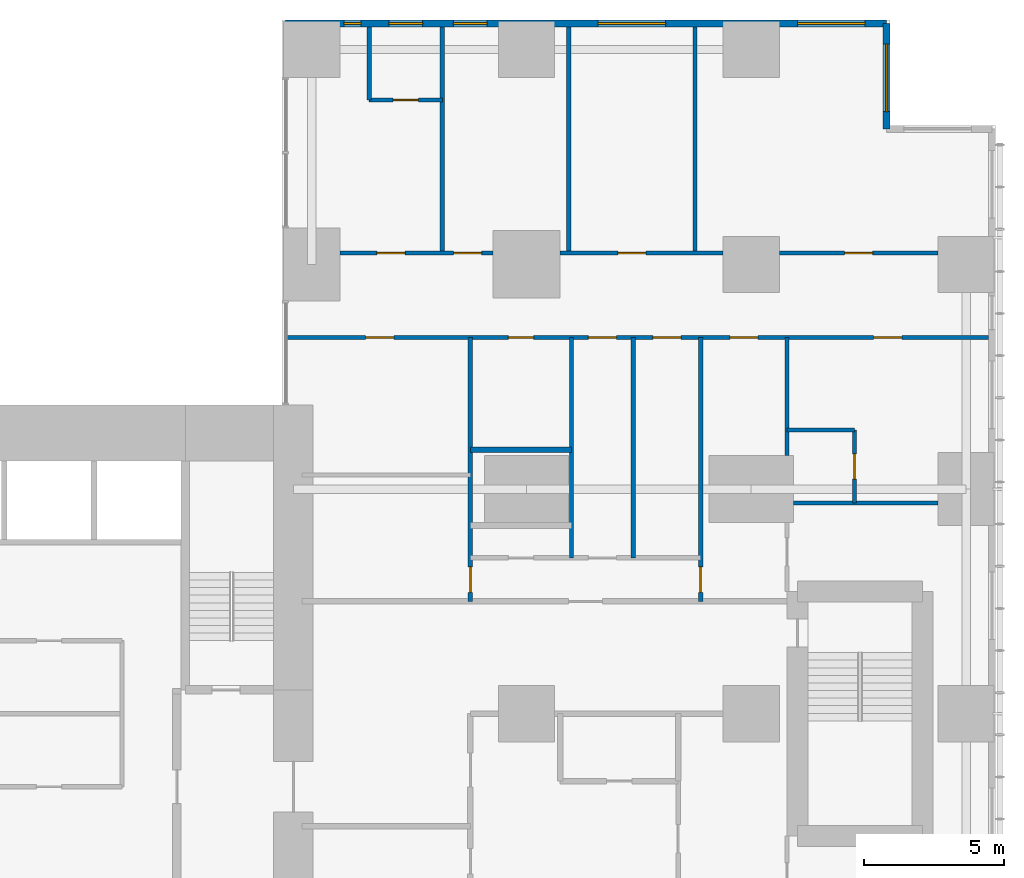
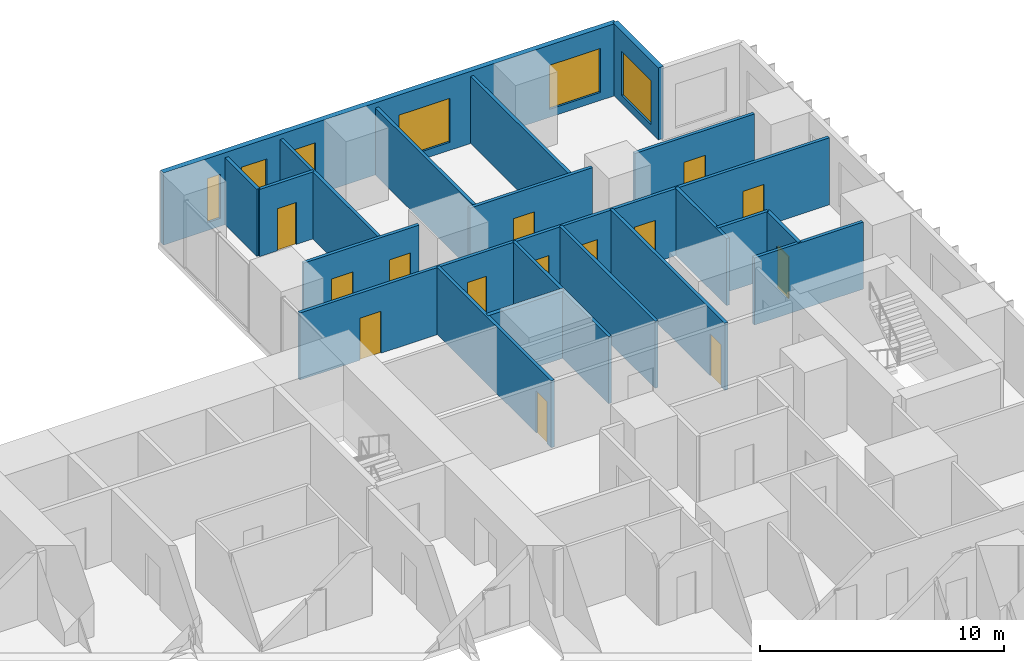
# One storey, part 18 of 21: 20 walls, 14 doors, 6 windows, 20 openings.
"""IFC4 building model written with IfcOpenShell, lengths in metres."""

from ifc_helpers import new_model, si_unit, direction, frame, frame_2d, origin, place, context, subcontext, project, spatial, rectangle, extrude, material, layer, layer_set, type_object, element, fill, save


model = new_model("IFC4")

# Units and contexts
model_context = context("Model", 3, precision=1e-05, world=origin(), true_north=direction((0.0, 1.0)))
body_context = subcontext(model_context, "Body", "Model", "MODEL_VIEW")
ifc_project = project(units=[si_unit("LENGTHUNIT", "METRE"), si_unit("AREAUNIT", "SQUARE_METRE"), si_unit("VOLUMEUNIT", "CUBIC_METRE"), si_unit("PLANEANGLEUNIT", "RADIAN"), si_unit("MASSUNIT", "GRAM", prefix="KILO")], contexts=[model_context])

# Site, building, storey
site_placement = place(None, origin())
site = spatial("IfcSite", under=ifc_project, at=site_placement, CompositionType="ELEMENT")
building_placement = place(site_placement, origin())
building = spatial("IfcBuilding", under=site, at=building_placement, Name="Cleftline Residences", CompositionType="ELEMENT")
storey_placement = place(building_placement, frame((0.0, 0.0, 128.60009765625)))
storey = spatial("IfcBuildingStorey", under=building, at=storey_placement, Name="L33", CompositionType="ELEMENT", Elevation=128.60009765625)

# Wall, opening, window
ifc_material_1 = material(Name="Rendered reinforced concrete blockwork", Category="masonry")
ifc_layer_1 = layer(ifc_material_1, 0.25)
ifc_layer_set_1 = layer_set([ifc_layer_1], Name="EXTERNAL WALL 250")
wall_type_1 = type_object("IfcWallType", Name="EXTERNAL WALL 250", PredefinedType="SOLIDWALL", material=ifc_layer_set_1)
wall_1_placement = place(storey_placement, frame((62.824951171875, 44.824951171875, 0.0), z_axis=(0.0, 0.0, 1.0), x_axis=(0.0, 1.0, 0.0)))
wall_1 = element("IfcWall", 1, at=wall_1_placement, inside=storey, type_object=wall_type_1, Name="External wall", PredefinedType="SOLIDWALL", context=body_context, shape_type="SweptSolid", body=[
    extrude(rectangle(XDim=3.75, YDim=0.25, at=frame_2d((1.875, 0.0))), origin(), (0.0, 0.0, 1.0), 3.599853515625),
])
opening_1_placement = place(wall_1_placement, frame((0.612548828125, 0.0, 0.39990234375)))
opening_1 = element("IfcOpeningElement", 2, at=opening_1_placement, cuts=wall_1, Name="Opening W12", PredefinedType="OPENING", context=body_context, shape_type="SweptSolid", body=[
    extrude(rectangle(XDim=2.39990234375, YDim=2.199951171875, at=frame_2d((1.199951171875, 1.10009765625))), frame((0.0, 0.135009765625, 0.0), z_axis=(0.0, -1.0, 0.0), x_axis=(1.0, 0.0, 0.0)), (0.0, 0.0, 1.0), 0.27001953125),
])
ifc_material_2 = material(Name="Aluminium frame, clear double glazing", Category="aluminium")
window_type_1 = type_object("IfcWindowType", Name="WINDOW 2400X2200", PartitioningType="DOUBLE_PANEL_VERTICAL", PredefinedType="WINDOW", material=ifc_material_2)
window_1_placement = place(opening_1_placement, origin())
window_1 = element("IfcWindow", 3, at=window_1_placement, inside=storey, type_object=window_type_1, Name="Window", OverallHeight=2.199951171875, OverallWidth=2.39990234375, PartitioningType="SINGLE_PANEL", PredefinedType="WINDOW", context=body_context, shape_type="SweptSolid", body=[
    extrude(rectangle(XDim=2.39990234375, YDim=2.199951171875, at=frame_2d((1.199951171875, 1.10009765625))), frame((0.0, 0.030029296875, 0.0), z_axis=(0.0, -1.0, 0.0), x_axis=(1.0, 0.0, 0.0)), (0.0, 0.0, 1.0), 0.06005859375),
])
fill(opening_1, window_1)

# Wall, openings, windows
wall_2_placement = place(storey_placement, frame((62.824951171875, 48.574951171875, 0.0), z_axis=(0.0, 0.0, 1.0), x_axis=(-1.0, 0.0, 0.0)))
wall_2 = element("IfcWall", 4, at=wall_2_placement, inside=storey, type_object=wall_type_1, Name="External wall", PredefinedType="SOLIDWALL", context=body_context, shape_type="SweptSolid", body=[
    extrude(rectangle(XDim=21.39990234375, YDim=0.25, at=frame_2d((10.699951171875, 0.0))), origin(), (0.0, 0.0, 1.0), 3.599853515625),
])
opening_2_placement = place(wall_2_placement, frame((0.77490234375, 0.0, 0.39990234375)))
opening_2 = element("IfcOpeningElement", 5, at=opening_2_placement, cuts=wall_2, Name="Opening W12", PredefinedType="OPENING", context=body_context, shape_type="SweptSolid", body=[
    extrude(rectangle(XDim=2.39990234375, YDim=2.199951171875, at=frame_2d((1.199951171875, 1.10009765625))), frame((0.0, 0.135009765625, 0.0), z_axis=(0.0, -1.0, 0.0), x_axis=(1.0, 0.0, 0.0)), (0.0, 0.0, 1.0), 0.27001953125),
])
opening_3_placement = place(wall_2_placement, frame((7.875, 0.0, 0.39990234375)))
opening_3 = element("IfcOpeningElement", 6, at=opening_3_placement, cuts=wall_2, Name="Opening W12", PredefinedType="OPENING", context=body_context, shape_type="SweptSolid", body=[
    extrude(rectangle(XDim=2.39990234375, YDim=2.199951171875, at=frame_2d((1.199951171875, 1.10009765625))), frame((0.0, 0.135009765625, 0.0), z_axis=(0.0, -1.0, 0.0), x_axis=(1.0, 0.0, 0.0)), (0.0, 0.0, 1.0), 0.27001953125),
])
opening_4_placement = place(wall_2_placement, frame((14.22509765625, 0.0, 0.39990234375)))
opening_4 = element("IfcOpeningElement", 7, at=opening_4_placement, cuts=wall_2, Name="Opening W11", PredefinedType="OPENING", context=body_context, shape_type="SweptSolid", body=[
    extrude(rectangle(XDim=1.199951171875, YDim=2.199951171875, at=frame_2d((0.60009765625, 1.10009765625))), frame((0.0, 0.135009765625, 0.0), z_axis=(0.0, -1.0, 0.0), x_axis=(1.0, 0.0, 0.0)), (0.0, 0.0, 1.0), 0.27001953125),
])
opening_5_placement = place(wall_2_placement, frame((16.52490234375, 0.0, 0.39990234375)))
opening_5 = element("IfcOpeningElement", 8, at=opening_5_placement, cuts=wall_2, Name="Opening W11", PredefinedType="OPENING", context=body_context, shape_type="SweptSolid", body=[
    extrude(rectangle(XDim=1.199951171875, YDim=2.199951171875, at=frame_2d((0.60009765625, 1.10009765625))), frame((0.0, 0.135009765625, 0.0), z_axis=(0.0, -1.0, 0.0), x_axis=(1.0, 0.0, 0.0)), (0.0, 0.0, 1.0), 0.27001953125),
])
opening_6_placement = place(wall_2_placement, frame((18.72509765625, 0.0, 0.39990234375)))
opening_6 = element("IfcOpeningElement", 9, at=opening_6_placement, cuts=wall_2, Name="Opening W10", PredefinedType="OPENING", context=body_context, shape_type="SweptSolid", body=[
    extrude(rectangle(XDim=0.60009765625, YDim=2.199951171875, at=frame_2d((0.300048828125, 1.10009765625))), frame((0.0, 0.135009765625, 0.0), z_axis=(0.0, -1.0, 0.0), x_axis=(1.0, 0.0, 0.0)), (0.0, 0.0, 1.0), 0.27001953125),
])
ifc_material_3 = material(Name="Aluminium frame, clear double glazing", Category="aluminium")
window_type_2 = type_object("IfcWindowType", Name="WINDOW 1200X2200", PartitioningType="DOUBLE_PANEL_VERTICAL", PredefinedType="WINDOW", material=ifc_material_3)
window_2_placement = place(opening_4_placement, origin())
window_2 = element("IfcWindow", 10, at=window_2_placement, inside=storey, type_object=window_type_2, Name="Window", OverallHeight=2.199951171875, OverallWidth=1.199951171875, PartitioningType="SINGLE_PANEL", PredefinedType="WINDOW", context=body_context, shape_type="SweptSolid", body=[
    extrude(rectangle(XDim=1.199951171875, YDim=2.199951171875, at=frame_2d((0.60009765625, 1.10009765625))), frame((0.0, 0.030029296875, 0.0), z_axis=(0.0, -1.0, 0.0), x_axis=(1.0, 0.0, 0.0)), (0.0, 0.0, 1.0), 0.06005859375),
])
fill(opening_4, window_2)
window_3_placement = place(opening_5_placement, origin())
window_3 = element("IfcWindow", 11, at=window_3_placement, inside=storey, type_object=window_type_2, Name="Window", OverallHeight=2.199951171875, OverallWidth=1.199951171875, PartitioningType="SINGLE_PANEL", PredefinedType="WINDOW", context=body_context, shape_type="SweptSolid", body=[
    extrude(rectangle(XDim=1.199951171875, YDim=2.199951171875, at=frame_2d((0.60009765625, 1.10009765625))), frame((0.0, 0.030029296875, 0.0), z_axis=(0.0, -1.0, 0.0), x_axis=(1.0, 0.0, 0.0)), (0.0, 0.0, 1.0), 0.06005859375),
])
fill(opening_5, window_3)
window_4_placement = place(opening_2_placement, origin())
window_4 = element("IfcWindow", 12, at=window_4_placement, inside=storey, type_object=window_type_1, Name="Window", OverallHeight=2.199951171875, OverallWidth=2.39990234375, PartitioningType="SINGLE_PANEL", PredefinedType="WINDOW", context=body_context, shape_type="SweptSolid", body=[
    extrude(rectangle(XDim=2.39990234375, YDim=2.199951171875, at=frame_2d((1.199951171875, 1.10009765625))), frame((0.0, 0.030029296875, 0.0), z_axis=(0.0, -1.0, 0.0), x_axis=(1.0, 0.0, 0.0)), (0.0, 0.0, 1.0), 0.06005859375),
])
fill(opening_2, window_4)
window_5_placement = place(opening_3_placement, origin())
window_5 = element("IfcWindow", 13, at=window_5_placement, inside=storey, type_object=window_type_1, Name="Window", OverallHeight=2.199951171875, OverallWidth=2.39990234375, PartitioningType="SINGLE_PANEL", PredefinedType="WINDOW", context=body_context, shape_type="SweptSolid", body=[
    extrude(rectangle(XDim=2.39990234375, YDim=2.199951171875, at=frame_2d((1.199951171875, 1.10009765625))), frame((0.0, 0.030029296875, 0.0), z_axis=(0.0, -1.0, 0.0), x_axis=(1.0, 0.0, 0.0)), (0.0, 0.0, 1.0), 0.06005859375),
])
fill(opening_3, window_5)
ifc_material_4 = material(Name="Aluminium frame, clear double glazing", Category="aluminium")
window_type_3 = type_object("IfcWindowType", Name="WINDOW 600X2200", PartitioningType="DOUBLE_PANEL_VERTICAL", PredefinedType="WINDOW", material=ifc_material_4)
window_6_placement = place(opening_6_placement, origin())
window_6 = element("IfcWindow", 14, at=window_6_placement, inside=storey, type_object=window_type_3, Name="Window", OverallHeight=2.199951171875, OverallWidth=0.60009765625, PartitioningType="SINGLE_PANEL", PredefinedType="WINDOW", context=body_context, shape_type="SweptSolid", body=[
    extrude(rectangle(XDim=0.60009765625, YDim=2.199951171875, at=frame_2d((0.300048828125, 1.10009765625))), frame((0.0, 0.030029296875, 0.0), z_axis=(0.0, -1.0, 0.0), x_axis=(1.0, 0.0, 0.0)), (0.0, 0.0, 1.0), 0.06005859375),
])
fill(opening_6, window_6)

# Walls
ifc_material_5 = material(Name="Concrete blockwork, fire rated", Category="masonry")
ifc_layer_2 = layer(ifc_material_5, 0.199951171875)
ifc_layer_set_2 = layer_set([ifc_layer_2], Name="FIRE WALL 200")
wall_type_2 = type_object("IfcWallType", Name="FIRE WALL 200", PredefinedType="PARTITIONING", material=ifc_layer_set_2)
wall_3_placement = place(storey_placement, frame((48.0, 33.39990234375, 0.0), z_axis=(0.0, 0.0, 1.0), x_axis=(1.0, 0.0, 0.0)))
element("IfcWall", 15, at=wall_3_placement, inside=storey, type_object=wall_type_2, Name="Fire separating wall", PredefinedType="PARTITIONING", context=body_context, shape_type="SweptSolid", body=[
    extrude(rectangle(XDim=3.60009765625, YDim=0.199951171875, at=frame_2d((1.800048828125, 0.0))), origin(), (0.0, 0.0, 1.0), 3.349853515625),
])
ifc_material_6 = material(Name="Gypsum board on steel studs", Category="steel")
ifc_layer_3 = layer(ifc_material_6, 0.14990234375)
ifc_layer_set_3 = layer_set([ifc_layer_3], Name="PARTITION 150")
wall_type_3 = type_object("IfcWallType", Name="PARTITION 150", PredefinedType="PARTITIONING", material=ifc_layer_set_3)
wall_4_placement = place(storey_placement, frame((59.5, 31.5, 0.0), z_axis=(0.0, 0.0, 1.0), x_axis=(1.0, 0.0, 0.0)))
element("IfcWall", 16, at=wall_4_placement, inside=storey, type_object=wall_type_3, Name="Partition", PredefinedType="PARTITIONING", context=body_context, shape_type="SweptSolid", body=[
    extrude(rectangle(XDim=5.14990234375, YDim=0.14990234375, at=frame_2d((2.574951171875, 0.0))), origin(), (0.0, 0.0, 1.0), 3.349853515625),
])
wall_5_placement = place(storey_placement, frame((59.27490234375, 34.10009765625, 0.0), z_axis=(0.0, 0.0, 1.0), x_axis=(1.0, 0.0, 0.0)))
element("IfcWall", 17, at=wall_5_placement, inside=storey, type_object=wall_type_3, Name="Partition", PredefinedType="PARTITIONING", context=body_context, shape_type="SweptSolid", body=[
    extrude(rectangle(XDim=2.400146484375, YDim=0.14990234375, at=frame_2d((1.2001953125, 0.0))), origin(), (0.0, 0.0, 1.0), 3.349853515625),
])

# Wall, openings, doors
wall_6_placement = place(storey_placement, frame((41.43896484375, 37.39990234375, 0.0), z_axis=(0.0, 0.0, 1.0), x_axis=(1.0, 0.0, 0.0)))
wall_6 = element("IfcWall", 18, at=wall_6_placement, inside=storey, type_object=wall_type_3, Name="Partition", PredefinedType="PARTITIONING", context=body_context, shape_type="SweptSolid", body=[
    extrude(rectangle(XDim=25.010986328125, YDim=0.14990234375, at=frame_2d((12.50537109375, 0.0))), origin(), (0.0, 0.0, 1.0), 3.349853515625),
])
opening_7_placement = place(wall_6_placement, frame((10.760986328125, 0.0, 0.0)))
opening_7 = element("IfcOpeningElement", 19, at=opening_7_placement, cuts=wall_6, Name="Opening D2", PredefinedType="OPENING", context=body_context, shape_type="SweptSolid", body=[
    extrude(rectangle(XDim=1.0, YDim=2.10009765625, at=frame_2d((0.5, 1.050048828125))), frame((0.0, 0.0849609375, 0.0), z_axis=(0.0, -1.0, 0.0), x_axis=(1.0, 0.0, 0.0)), (0.0, 0.0, 1.0), 0.169921875),
])
opening_8_placement = place(wall_6_placement, frame((20.923583984375, 0.0, 0.0)))
opening_8 = element("IfcOpeningElement", 20, at=opening_8_placement, cuts=wall_6, Name="Opening D2", PredefinedType="OPENING", context=body_context, shape_type="SweptSolid", body=[
    extrude(rectangle(XDim=1.0, YDim=2.10009765625, at=frame_2d((0.5, 1.050048828125))), frame((0.0, 0.0849609375, 0.0), z_axis=(0.0, -1.0, 0.0), x_axis=(1.0, 0.0, 0.0)), (0.0, 0.0, 1.0), 0.169921875),
])
opening_9_placement = place(wall_6_placement, frame((15.798583984375, 0.0, 0.0)))
opening_9 = element("IfcOpeningElement", 21, at=opening_9_placement, cuts=wall_6, Name="Opening D2", PredefinedType="OPENING", context=body_context, shape_type="SweptSolid", body=[
    extrude(rectangle(XDim=1.0, YDim=2.10009765625, at=frame_2d((0.5, 1.050048828125))), frame((0.0, 0.0849609375, 0.0), z_axis=(0.0, -1.0, 0.0), x_axis=(1.0, 0.0, 0.0)), (0.0, 0.0, 1.0), 0.169921875),
])
opening_10_placement = place(wall_6_placement, frame((13.06103515625, 0.0, 0.0)))
opening_10 = element("IfcOpeningElement", 22, at=opening_10_placement, cuts=wall_6, Name="Opening D2", PredefinedType="OPENING", context=body_context, shape_type="SweptSolid", body=[
    extrude(rectangle(XDim=1.0, YDim=2.10009765625, at=frame_2d((0.5, 1.050048828125))), frame((0.0, 0.0849609375, 0.0), z_axis=(0.0, -1.0, 0.0), x_axis=(1.0, 0.0, 0.0)), (0.0, 0.0, 1.0), 0.169921875),
])
opening_11_placement = place(wall_6_placement, frame((7.910888671875, 0.0, 0.0)))
opening_11 = element("IfcOpeningElement", 23, at=opening_11_placement, cuts=wall_6, Name="Opening D1", PredefinedType="OPENING", context=body_context, shape_type="SweptSolid", body=[
    extrude(rectangle(XDim=0.89990234375, YDim=2.10009765625, at=frame_2d((0.449951171875, 1.050048828125))), frame((0.0, 0.0849609375, 0.0), z_axis=(0.0, -1.0, 0.0), x_axis=(1.0, 0.0, 0.0)), (0.0, 0.0, 1.0), 0.169921875),
])
opening_12_placement = place(wall_6_placement, frame((2.8359375, 0.0, 0.0)))
opening_12 = element("IfcOpeningElement", 24, at=opening_12_placement, cuts=wall_6, Name="Opening D2", PredefinedType="OPENING", context=body_context, shape_type="SweptSolid", body=[
    extrude(rectangle(XDim=1.0, YDim=2.10009765625, at=frame_2d((0.5, 1.050048828125))), frame((0.0, 0.0849609375, 0.0), z_axis=(0.0, -1.0, 0.0), x_axis=(1.0, 0.0, 0.0)), (0.0, 0.0, 1.0), 0.169921875),
])
ifc_material_7 = material(Name="Timber veneer on solid core", Category="wood")
door_type_1 = type_object("IfcDoorType", Name="DOOR 1000X2100", OperationType="SINGLE_SWING_LEFT", PredefinedType="DOOR", material=ifc_material_7)
door_1_placement = place(opening_7_placement, origin())
door_1 = element("IfcDoor", 25, at=door_1_placement, inside=storey, type_object=door_type_1, Name="Door to residence hall", OperationType="SINGLE_SWING_RIGHT", OverallHeight=2.10009765625, OverallWidth=1.0, PredefinedType="DOOR", context=body_context, shape_type="SweptSolid", body=[
    extrude(rectangle(XDim=1.0, YDim=2.10009765625, at=frame_2d((0.5, 1.050048828125))), frame((0.0, 0.02490234375, 0.0), z_axis=(0.0, -1.0, 0.0), x_axis=(1.0, 0.0, 0.0)), (0.0, 0.0, 1.0), 0.050048828125),
])
fill(opening_7, door_1)
door_2_placement = place(opening_8_placement, origin())
door_2 = element("IfcDoor", 26, at=door_2_placement, inside=storey, type_object=door_type_1, Name="Door to master bedroom", OperationType="SINGLE_SWING_LEFT", OverallHeight=2.10009765625, OverallWidth=1.0, PredefinedType="DOOR", context=body_context, shape_type="SweptSolid", body=[
    extrude(rectangle(XDim=1.0, YDim=2.10009765625, at=frame_2d((0.5, 1.050048828125))), frame((0.0, 0.02490234375, 0.0), z_axis=(0.0, -1.0, 0.0), x_axis=(1.0, 0.0, 0.0)), (0.0, 0.0, 1.0), 0.050048828125),
])
fill(opening_8, door_2)
door_3_placement = place(opening_9_placement, origin())
door_3 = element("IfcDoor", 27, at=door_3_placement, inside=storey, type_object=door_type_1, Name="Door to wet kitchen", OperationType="SINGLE_SWING_LEFT", OverallHeight=2.10009765625, OverallWidth=1.0, PredefinedType="DOOR", context=body_context, shape_type="SweptSolid", body=[
    extrude(rectangle(XDim=1.0, YDim=2.10009765625, at=frame_2d((0.5, 1.050048828125))), frame((0.0, 0.02490234375, 0.0), z_axis=(0.0, -1.0, 0.0), x_axis=(1.0, 0.0, 0.0)), (0.0, 0.0, 1.0), 0.050048828125),
])
fill(opening_9, door_3)
door_4_placement = place(opening_10_placement, origin())
door_4 = element("IfcDoor", 28, at=door_4_placement, inside=storey, type_object=door_type_1, Name="Door to media room", OperationType="SINGLE_SWING_LEFT", OverallHeight=2.10009765625, OverallWidth=1.0, PredefinedType="DOOR", context=body_context, shape_type="SweptSolid", body=[
    extrude(rectangle(XDim=1.0, YDim=2.10009765625, at=frame_2d((0.5, 1.050048828125))), frame((0.0, 0.02490234375, 0.0), z_axis=(0.0, -1.0, 0.0), x_axis=(1.0, 0.0, 0.0)), (0.0, 0.0, 1.0), 0.050048828125),
])
fill(opening_10, door_4)
door_5_placement = place(opening_12_placement, origin())
door_5 = element("IfcDoor", 29, at=door_5_placement, inside=storey, type_object=door_type_1, Name="Door to study", OperationType="SINGLE_SWING_RIGHT", OverallHeight=2.10009765625, OverallWidth=1.0, PredefinedType="DOOR", context=body_context, shape_type="SweptSolid", body=[
    extrude(rectangle(XDim=1.0, YDim=2.10009765625, at=frame_2d((0.5, 1.050048828125))), frame((0.0, 0.02490234375, 0.0), z_axis=(0.0, -1.0, 0.0), x_axis=(1.0, 0.0, 0.0)), (0.0, 0.0, 1.0), 0.050048828125),
])
fill(opening_12, door_5)
ifc_material_8 = material(Name="Timber veneer on solid core", Category="wood")
door_type_2 = type_object("IfcDoorType", Name="DOOR 900X2100", OperationType="SINGLE_SWING_LEFT", PredefinedType="DOOR", material=ifc_material_8)
door_6_placement = place(opening_11_placement, origin())
door_6 = element("IfcDoor", 30, at=door_6_placement, inside=storey, type_object=door_type_2, Name="Door to bedroom 2 bathroom", OperationType="SINGLE_SWING_RIGHT", OverallHeight=2.10009765625, OverallWidth=0.89990234375, PredefinedType="DOOR", context=body_context, shape_type="SweptSolid", body=[
    extrude(rectangle(XDim=0.89990234375, YDim=2.10009765625, at=frame_2d((0.449951171875, 1.050048828125))), frame((0.0, 0.02490234375, 0.0), z_axis=(0.0, -1.0, 0.0), x_axis=(1.0, 0.0, 0.0)), (0.0, 0.0, 1.0), 0.050048828125),
])
fill(opening_11, door_6)

wall_7_placement = place(storey_placement, frame((43.35009765625, 40.39990234375, 0.0), z_axis=(0.0, 0.0, 1.0), x_axis=(1.0, 0.0, 0.0)))
wall_7 = element("IfcWall", 31, at=wall_7_placement, inside=storey, type_object=wall_type_3, Name="Partition", PredefinedType="PARTITIONING", context=body_context, shape_type="SweptSolid", body=[
    extrude(rectangle(XDim=5.449951171875, YDim=0.14990234375, at=frame_2d((2.72509765625, 0.0))), origin(), (0.0, 0.0, 1.0), 3.349853515625),
])
opening_13_placement = place(wall_7_placement, frame((4.050048828125, 0.0, 0.0)))
opening_13 = element("IfcOpeningElement", 32, at=opening_13_placement, cuts=wall_7, Name="Opening D2", PredefinedType="OPENING", context=body_context, shape_type="SweptSolid", body=[
    extrude(rectangle(XDim=1.0, YDim=2.10009765625, at=frame_2d((0.5, 1.050048828125))), frame((0.0, 0.0849609375, 0.0), z_axis=(0.0, -1.0, 0.0), x_axis=(1.0, 0.0, 0.0)), (0.0, 0.0, 1.0), 0.169921875),
])
opening_14_placement = place(wall_7_placement, frame((1.324951171875, 0.0, 0.0)))
opening_14 = element("IfcOpeningElement", 33, at=opening_14_placement, cuts=wall_7, Name="Opening D2", PredefinedType="OPENING", context=body_context, shape_type="SweptSolid", body=[
    extrude(rectangle(XDim=1.0, YDim=2.10009765625, at=frame_2d((0.5, 1.050048828125))), frame((0.0, 0.0849609375, 0.0), z_axis=(0.0, -1.0, 0.0), x_axis=(1.0, 0.0, 0.0)), (0.0, 0.0, 1.0), 0.169921875),
])
door_7_placement = place(opening_13_placement, origin())
door_7 = element("IfcDoor", 34, at=door_7_placement, inside=storey, type_object=door_type_1, Name="Door to show kitchen", OperationType="SINGLE_SWING_LEFT", OverallHeight=2.10009765625, OverallWidth=1.0, PredefinedType="DOOR", context=body_context, shape_type="SweptSolid", body=[
    extrude(rectangle(XDim=1.0, YDim=2.10009765625, at=frame_2d((0.5, 1.050048828125))), frame((0.0, 0.02490234375, 0.0), z_axis=(0.0, -1.0, 0.0), x_axis=(1.0, 0.0, 0.0)), (0.0, 0.0, 1.0), 0.050048828125),
])
fill(opening_13, door_7)
door_8_placement = place(opening_14_placement, origin())
door_8 = element("IfcDoor", 35, at=door_8_placement, inside=storey, type_object=door_type_1, Name="Door to bedroom 3", OperationType="SINGLE_SWING_RIGHT", OverallHeight=2.10009765625, OverallWidth=1.0, PredefinedType="DOOR", context=body_context, shape_type="SweptSolid", body=[
    extrude(rectangle(XDim=1.0, YDim=2.10009765625, at=frame_2d((0.5, 1.050048828125))), frame((0.0, 0.02490234375, 0.0), z_axis=(0.0, -1.0, 0.0), x_axis=(1.0, 0.0, 0.0)), (0.0, 0.0, 1.0), 0.050048828125),
])
fill(opening_14, door_8)

# Wall, opening, door
wall_8_placement = place(storey_placement, frame((51.199951171875, 40.39990234375, 0.0), z_axis=(0.0, 0.0, 1.0), x_axis=(1.0, 0.0, 0.0)))
wall_8 = element("IfcWall", 36, at=wall_8_placement, inside=storey, type_object=wall_type_3, Name="Partition", PredefinedType="PARTITIONING", context=body_context, shape_type="SweptSolid", body=[
    extrude(rectangle(XDim=5.800048828125, YDim=0.14990234375, at=frame_2d((2.89990234375, 0.0))), origin(), (0.0, 0.0, 1.0), 3.349853515625),
])
opening_15_placement = place(wall_8_placement, frame((2.050048828125, 0.0, 0.0)))
opening_15 = element("IfcOpeningElement", 37, at=opening_15_placement, cuts=wall_8, Name="Opening D2", PredefinedType="OPENING", context=body_context, shape_type="SweptSolid", body=[
    extrude(rectangle(XDim=1.0, YDim=2.10009765625, at=frame_2d((0.5, 1.050048828125))), frame((0.0, 0.0849609375, 0.0), z_axis=(0.0, -1.0, 0.0), x_axis=(1.0, 0.0, 0.0)), (0.0, 0.0, 1.0), 0.169921875),
])
door_9_placement = place(opening_15_placement, origin())
door_9 = element("IfcDoor", 38, at=door_9_placement, inside=storey, type_object=door_type_1, Name="Door to dining room", OperationType="SINGLE_SWING_RIGHT", OverallHeight=2.10009765625, OverallWidth=1.0, PredefinedType="DOOR", context=body_context, shape_type="SweptSolid", body=[
    extrude(rectangle(XDim=1.0, YDim=2.10009765625, at=frame_2d((0.5, 1.050048828125))), frame((0.0, 0.02490234375, 0.0), z_axis=(0.0, -1.0, 0.0), x_axis=(1.0, 0.0, 0.0)), (0.0, 0.0, 1.0), 0.050048828125),
])
fill(opening_15, door_9)

wall_9_placement = place(storey_placement, frame((59.0, 40.39990234375, 0.0), z_axis=(0.0, 0.0, 1.0), x_axis=(1.0, 0.0, 0.0)))
wall_9 = element("IfcWall", 39, at=wall_9_placement, inside=storey, type_object=wall_type_3, Name="Partition", PredefinedType="PARTITIONING", context=body_context, shape_type="SweptSolid", body=[
    extrude(rectangle(XDim=5.64990234375, YDim=0.14990234375, at=frame_2d((2.824951171875, 0.0))), origin(), (0.0, 0.0, 1.0), 3.349853515625),
])
opening_16_placement = place(wall_9_placement, frame((2.324951171875, 0.0, 0.0)))
opening_16 = element("IfcOpeningElement", 40, at=opening_16_placement, cuts=wall_9, Name="Opening D2", PredefinedType="OPENING", context=body_context, shape_type="SweptSolid", body=[
    extrude(rectangle(XDim=1.0, YDim=2.10009765625, at=frame_2d((0.5, 1.050048828125))), frame((0.0, 0.0849609375, 0.0), z_axis=(0.0, -1.0, 0.0), x_axis=(1.0, 0.0, 0.0)), (0.0, 0.0, 1.0), 0.169921875),
])
door_10_placement = place(opening_16_placement, origin())
door_10 = element("IfcDoor", 41, at=door_10_placement, inside=storey, type_object=door_type_1, Name="Door to sea-view lounge", OperationType="SINGLE_SWING_LEFT", OverallHeight=2.10009765625, OverallWidth=1.0, PredefinedType="DOOR", context=body_context, shape_type="SweptSolid", body=[
    extrude(rectangle(XDim=1.0, YDim=2.10009765625, at=frame_2d((0.5, 1.050048828125))), frame((0.0, 0.02490234375, 0.0), z_axis=(0.0, -1.0, 0.0), x_axis=(1.0, 0.0, 0.0)), (0.0, 0.0, 1.0), 0.050048828125),
])
fill(opening_16, door_10)

wall_10_placement = place(storey_placement, frame((44.39990234375, 45.85009765625, 0.0), z_axis=(0.0, 0.0, 1.0), x_axis=(1.0, 0.0, 0.0)))
wall_10 = element("IfcWall", 42, at=wall_10_placement, inside=storey, type_object=wall_type_3, Name="Partition", PredefinedType="PARTITIONING", context=body_context, shape_type="SweptSolid", body=[
    extrude(rectangle(XDim=2.60009765625, YDim=0.14990234375, at=frame_2d((1.300048828125, 0.0))), origin(), (0.0, 0.0, 1.0), 3.349853515625),
])
opening_17_placement = place(wall_10_placement, frame((0.85009765625, 0.0, 0.0)))
opening_17 = element("IfcOpeningElement", 43, at=opening_17_placement, cuts=wall_10, Name="Opening D1", PredefinedType="OPENING", context=body_context, shape_type="SweptSolid", body=[
    extrude(rectangle(XDim=0.89990234375, YDim=2.10009765625, at=frame_2d((0.449951171875, 1.050048828125))), frame((0.0, 0.0849609375, 0.0), z_axis=(0.0, -1.0, 0.0), x_axis=(1.0, 0.0, 0.0)), (0.0, 0.0, 1.0), 0.169921875),
])
door_11_placement = place(opening_17_placement, origin())
door_11 = element("IfcDoor", 44, at=door_11_placement, inside=storey, type_object=door_type_2, Name="Door to en-suite bathroom 3", OperationType="SINGLE_SWING_LEFT", OverallHeight=2.10009765625, OverallWidth=0.89990234375, PredefinedType="DOOR", context=body_context, shape_type="SweptSolid", body=[
    extrude(rectangle(XDim=0.89990234375, YDim=2.10009765625, at=frame_2d((0.449951171875, 1.050048828125))), frame((0.0, 0.02490234375, 0.0), z_axis=(0.0, -1.0, 0.0), x_axis=(1.0, 0.0, 0.0)), (0.0, 0.0, 1.0), 0.050048828125),
])
fill(opening_17, door_11)

# Walls
wall_11_placement = place(storey_placement, frame((44.39990234375, 45.85009765625, 0.0), z_axis=(0.0, 0.0, 1.0), x_axis=(0.0, 1.0, 0.0)))
element("IfcWall", 45, at=wall_11_placement, inside=storey, type_object=wall_type_3, Name="Partition", PredefinedType="PARTITIONING", context=body_context, shape_type="SweptSolid", body=[
    extrude(rectangle(XDim=2.599853515625, YDim=0.14990234375, at=frame_2d((1.2998046875, 0.0))), origin(), (0.0, 0.0, 1.0), 3.349853515625),
])
wall_12_placement = place(storey_placement, frame((47.0, 40.39990234375, 0.0), z_axis=(0.0, 0.0, 1.0), x_axis=(0.0, 1.0, 0.0)))
element("IfcWall", 46, at=wall_12_placement, inside=storey, type_object=wall_type_3, Name="Partition", PredefinedType="PARTITIONING", context=body_context, shape_type="SweptSolid", body=[
    extrude(rectangle(XDim=8.050048828125, YDim=0.14990234375, at=frame_2d((4.02490234375, 0.0))), origin(), (0.0, 0.0, 1.0), 3.349853515625),
])

# Wall, opening, door
wall_13_placement = place(storey_placement, frame((48.0, 28.0, 0.0), z_axis=(0.0, 0.0, 1.0), x_axis=(0.0, 1.0, 0.0)))
wall_13 = element("IfcWall", 47, at=wall_13_placement, inside=storey, type_object=wall_type_3, Name="Partition", PredefinedType="PARTITIONING", context=body_context, shape_type="SweptSolid", body=[
    extrude(rectangle(XDim=9.39990234375, YDim=0.14990234375, at=frame_2d((4.699951171875, 0.0))), origin(), (0.0, 0.0, 1.0), 3.349853515625),
])
opening_18_placement = place(wall_13_placement, frame((0.324951171875, 0.0, 0.0)))
opening_18 = element("IfcOpeningElement", 48, at=opening_18_placement, cuts=wall_13, Name="Opening D1", PredefinedType="OPENING", context=body_context, shape_type="SweptSolid", body=[
    extrude(rectangle(XDim=0.89990234375, YDim=2.10009765625, at=frame_2d((0.449951171875, 1.050048828125))), frame((0.0, 0.0849609375, 0.0), z_axis=(0.0, -1.0, 0.0), x_axis=(1.0, 0.0, 0.0)), (0.0, 0.0, 1.0), 0.169921875),
])
door_12_placement = place(opening_18_placement, origin())
door_12 = element("IfcDoor", 49, at=door_12_placement, inside=storey, type_object=door_type_2, Name="Door to utility room", OperationType="SINGLE_SWING_RIGHT", OverallHeight=2.10009765625, OverallWidth=0.89990234375, PredefinedType="DOOR", context=body_context, shape_type="SweptSolid", body=[
    extrude(rectangle(XDim=0.89990234375, YDim=2.10009765625, at=frame_2d((0.449951171875, 1.050048828125))), frame((0.0, 0.02490234375, 0.0), z_axis=(0.0, -1.0, 0.0), x_axis=(1.0, 0.0, 0.0)), (0.0, 0.0, 1.0), 0.050048828125),
])
fill(opening_18, door_12)

# Walls
wall_14_placement = place(storey_placement, frame((51.5, 40.39990234375, 0.0), z_axis=(0.0, 0.0, 1.0), x_axis=(0.0, 1.0, 0.0)))
element("IfcWall", 50, at=wall_14_placement, inside=storey, type_object=wall_type_3, Name="Partition", PredefinedType="PARTITIONING", context=body_context, shape_type="SweptSolid", body=[
    extrude(rectangle(XDim=8.050048828125, YDim=0.14990234375, at=frame_2d((4.02490234375, 0.0))), origin(), (0.0, 0.0, 1.0), 3.349853515625),
])
for number, where, z_axis, x_axis, name in (
    (51, (51.60009765625, 29.550048828125, 0.0), (0.0, 0.0, 1.0), (0.0, 1.0, 0.0), "Partition"),
    (52, (53.800048828125, 29.550048828125, 0.0), (0.0, 0.0, 1.0), (0.0, 1.0, 0.0), "Partition"),
):
    element("IfcWall", number, at=place(storey_placement, frame(where, z_axis=z_axis, x_axis=x_axis)), inside=storey, type_object=wall_type_3, Name=name, PredefinedType="PARTITIONING", context=body_context, shape_type="SweptSolid", body=[
        extrude(rectangle(XDim=7.849853515625, YDim=0.14990234375, at=frame_2d((3.9248046875, 0.0))), origin(), (0.0, 0.0, 1.0), 3.349853515625),
    ])
wall_15_placement = place(storey_placement, frame((56.0, 40.39990234375, 0.0), z_axis=(0.0, 0.0, 1.0), x_axis=(0.0, 1.0, 0.0)))
element("IfcWall", 53, at=wall_15_placement, inside=storey, type_object=wall_type_3, Name="Partition", PredefinedType="PARTITIONING", context=body_context, shape_type="SweptSolid", body=[
    extrude(rectangle(XDim=8.050048828125, YDim=0.14990234375, at=frame_2d((4.02490234375, 0.0))), origin(), (0.0, 0.0, 1.0), 3.349853515625),
])

# Wall, opening, door
wall_16_placement = place(storey_placement, frame((56.199951171875, 28.0, 0.0), z_axis=(0.0, 0.0, 1.0), x_axis=(0.0, 1.0, 0.0)))
wall_16 = element("IfcWall", 54, at=wall_16_placement, inside=storey, type_object=wall_type_3, Name="Partition", PredefinedType="PARTITIONING", context=body_context, shape_type="SweptSolid", body=[
    extrude(rectangle(XDim=9.39990234375, YDim=0.14990234375, at=frame_2d((4.699951171875, 0.0))), origin(), (0.0, 0.0, 1.0), 3.349853515625),
])
opening_19_placement = place(wall_16_placement, frame((0.324951171875, 0.0, 0.0)))
opening_19 = element("IfcOpeningElement", 55, at=opening_19_placement, cuts=wall_16, Name="Opening D1F30", PredefinedType="OPENING", context=body_context, shape_type="SweptSolid", body=[
    extrude(rectangle(XDim=0.89990234375, YDim=2.10009765625, at=frame_2d((0.449951171875, 1.050048828125))), frame((0.0, 0.0849609375, 0.0), z_axis=(0.0, -1.0, 0.0), x_axis=(1.0, 0.0, 0.0)), (0.0, 0.0, 1.0), 0.169921875),
])
ifc_material_9 = material(Name="Timber veneer on solid core", Category="wood")
door_type_3 = type_object("IfcDoorType", Name="DOOR 900X2100 EI 30", OperationType="SINGLE_SWING_LEFT", PredefinedType="DOOR", material=ifc_material_9)
door_13_placement = place(opening_19_placement, origin())
door_13 = element("IfcDoor", 56, at=door_13_placement, inside=storey, type_object=door_type_3, Name="Door to residence lobby", OperationType="SINGLE_SWING_RIGHT", OverallHeight=2.10009765625, OverallWidth=0.89990234375, PredefinedType="DOOR", context=body_context, shape_type="SweptSolid", body=[
    extrude(rectangle(XDim=0.89990234375, YDim=2.10009765625, at=frame_2d((0.449951171875, 1.050048828125))), frame((0.0, 0.02490234375, 0.0), z_axis=(0.0, -1.0, 0.0), x_axis=(1.0, 0.0, 0.0)), (0.0, 0.0, 1.0), 0.050048828125),
])
fill(opening_19, door_13)

# Wall
wall_17_placement = place(storey_placement, frame((59.27490234375, 33.199951171875, 0.0), z_axis=(0.0, 0.0, 1.0), x_axis=(0.0, 1.0, 0.0)))
element("IfcWall", 57, at=wall_17_placement, inside=storey, type_object=wall_type_3, Name="Partition", PredefinedType="PARTITIONING", context=body_context, shape_type="SweptSolid", body=[
    extrude(rectangle(XDim=4.199951171875, YDim=0.14990234375, at=frame_2d((2.10009765625, 0.0))), origin(), (0.0, 0.0, 1.0), 3.349853515625),
])

# Wall, opening, door
wall_18_placement = place(storey_placement, frame((61.675048828125, 31.5, 0.0), z_axis=(0.0, 0.0, 1.0), x_axis=(0.0, 1.0, 0.0)))
wall_18 = element("IfcWall", 58, at=wall_18_placement, inside=storey, type_object=wall_type_3, Name="Partition", PredefinedType="PARTITIONING", context=body_context, shape_type="SweptSolid", body=[
    extrude(rectangle(XDim=2.60009765625, YDim=0.14990234375, at=frame_2d((1.300048828125, 0.0))), origin(), (0.0, 0.0, 1.0), 3.349853515625),
])
opening_20_placement = place(wall_18_placement, frame((0.85009765625, 0.0, 0.0)))
opening_20 = element("IfcOpeningElement", 59, at=opening_20_placement, cuts=wall_18, Name="Opening D1", PredefinedType="OPENING", context=body_context, shape_type="SweptSolid", body=[
    extrude(rectangle(XDim=0.89990234375, YDim=2.10009765625, at=frame_2d((0.449951171875, 1.050048828125))), frame((0.0, 0.0849609375, 0.0), z_axis=(0.0, -1.0, 0.0), x_axis=(1.0, 0.0, 0.0)), (0.0, 0.0, 1.0), 0.169921875),
])
door_14_placement = place(opening_20_placement, origin())
door_14 = element("IfcDoor", 60, at=door_14_placement, inside=storey, type_object=door_type_2, Name="Door to master bathroom", OperationType="SINGLE_SWING_LEFT", OverallHeight=2.10009765625, OverallWidth=0.89990234375, PredefinedType="DOOR", context=body_context, shape_type="SweptSolid", body=[
    extrude(rectangle(XDim=0.89990234375, YDim=2.10009765625, at=frame_2d((0.449951171875, 1.050048828125))), frame((0.0, 0.02490234375, 0.0), z_axis=(0.0, -1.0, 0.0), x_axis=(1.0, 0.0, 0.0)), (0.0, 0.0, 1.0), 0.050048828125),
])
fill(opening_20, door_14)

save(model, "model.ifc")
